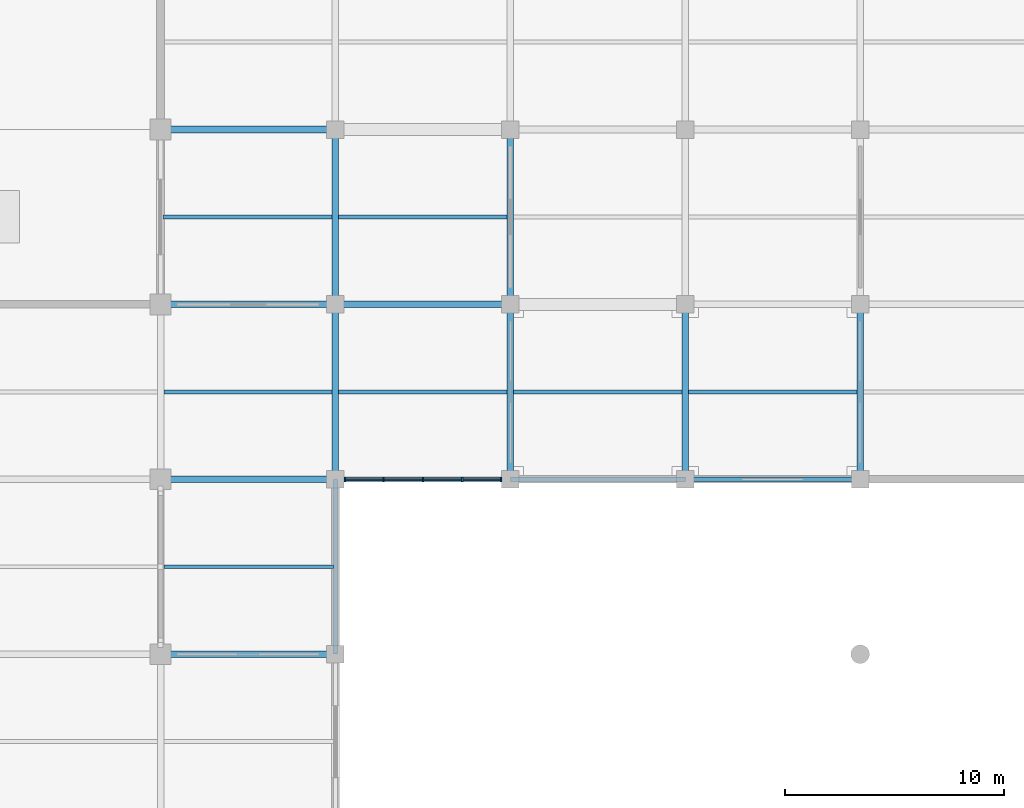
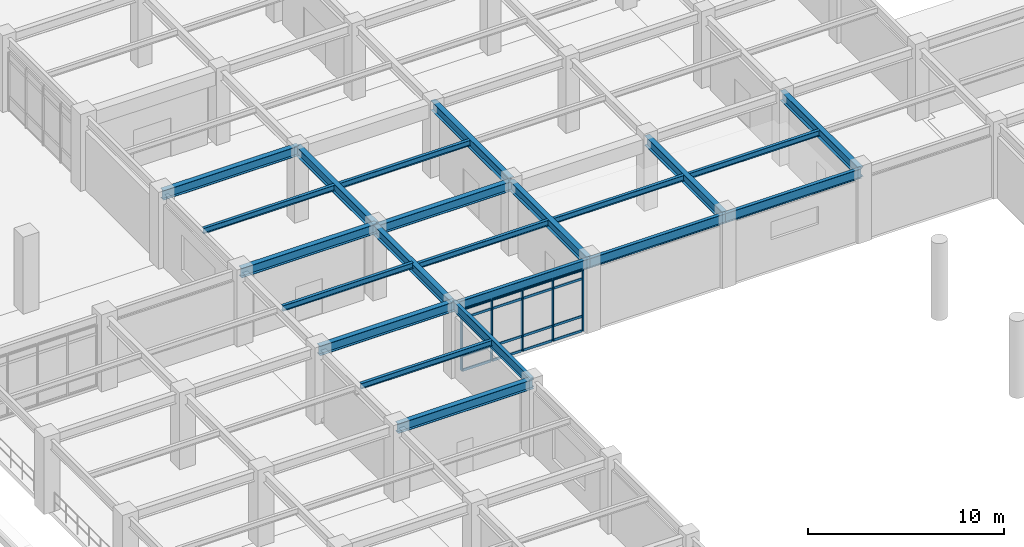
# One storey, part 46 of 109: 22 beams, 21 members, 1 element without a shape of its own.
"""IFC4 building model written with IfcOpenShell, lengths in metres."""

import ifcopenshell
import ifcopenshell.guid

model = None  # the IFC model being written
_history = None  # IfcOwnerHistory: only IFC2X3 demands one
_inside = {}  # id of a spatial element -> (the spatial element, [elements in it])
_under = {}  # id of a project, library or spatial element -> (it, [spatial elements below it])
_declared = {}  # id of a project -> (the project, [libraries it declares])
_typed = {}  # id of a type object -> (the type object, [elements of that type])
_made_of = {}  # id of a material, layer set ... -> (it, [elements and type objects made of it])


def new_model(schema):
    """Start an empty IFC model of exactly this schema.

    Asked for "IFC4X3", IfcOpenShell would pick the latest addendum, in which some entities
    have other attributes; the version numbers below select the first issue.
    IFC2X3 requires an IfcOwnerHistory on every rooted entity: one is made here for all.
    """
    global model, _history
    if schema == "IFC4X3":
        model = ifcopenshell.file(schema_version=(4, 3, 0, 0))
    else:
        model = ifcopenshell.file(schema=schema)
    _inside.clear()
    _under.clear()
    _declared.clear()
    _typed.clear()
    _made_of.clear()
    _history = None
    if model.schema == "IFC2X3":
        org = make("IfcOrganization", Name="unknown")
        user = make(
            "IfcPersonAndOrganization",
            ThePerson=make("IfcPerson", FamilyName="unknown"),
            TheOrganization=org,
        )
        app = make(
            "IfcApplication",
            ApplicationDeveloper=org,
            Version="unknown",
            ApplicationFullName="unknown",
            ApplicationIdentifier="unknown",
        )
        _history = make(
            "IfcOwnerHistory",
            OwningUser=user,
            OwningApplication=app,
            ChangeAction="ADDED",
            CreationDate=0,
        )
    return model


def make(cls, **values):
    """One entity of the class cls with the attributes given. An attribute that is None is left unset."""
    return model.create_entity(
        cls, **{name: value for name, value in values.items() if value is not None}
    )


def rooted(cls, **values):
    """An entity with a GlobalId (a new one), such as an element, a storey or a relation."""
    return make(cls, GlobalId=ifcopenshell.guid.new(), OwnerHistory=_history, **values)


def si_unit(unit_type, name, prefix=None):
    """IfcSIUnit, for example si_unit("LENGTHUNIT", "METRE", prefix="MILLI")."""
    return make("IfcSIUnit", UnitType=unit_type, Prefix=prefix, Name=name)


def assignment(units):
    """IfcUnitAssignment: the units of a project."""
    return None if units is None else make("IfcUnitAssignment", Units=units)


def point(xyz):
    """IfcCartesianPoint."""
    return None if xyz is None else make("IfcCartesianPoint", Coordinates=xyz)


def direction(xyz):
    """IfcDirection."""
    return None if xyz is None else make("IfcDirection", DirectionRatios=xyz)


def frame(location, z_axis=None, x_axis=None):
    """IfcAxis2Placement3D, a coordinate frame: its origin and axes. An axis left out is left unset."""
    return make(
        "IfcAxis2Placement3D",
        Location=point(location),
        Axis=direction(z_axis),
        RefDirection=direction(x_axis),
    )


def frame_2d(location, x_axis=None):
    """IfcAxis2Placement2D, a coordinate frame in the plane: its origin and x axis."""
    return make(
        "IfcAxis2Placement2D", Location=point(location), RefDirection=direction(x_axis)
    )


def origin():
    """The frame at (0, 0, 0) with its axes left unset."""
    return frame((0.0, 0.0, 0.0))


def origin_2d():
    """The frame at (0, 0) in the plane with its x axis left unset."""
    return frame_2d((0.0, 0.0))


def place(relative_to, where):
    """IfcLocalPlacement: puts the frame where relative to a parent placement (None: the world)."""
    return make(
        "IfcLocalPlacement", PlacementRelTo=relative_to, RelativePlacement=where
    )


def context(
    kind, dimensions, precision=None, world=None, true_north=None, identifier=None
):
    """IfcGeometricRepresentationContext, for example the 3D "Model" context."""
    return make(
        "IfcGeometricRepresentationContext",
        ContextIdentifier=identifier,
        ContextType=kind,
        CoordinateSpaceDimension=dimensions,
        Precision=precision,
        WorldCoordinateSystem=world,
        TrueNorth=true_north,
    )


def subcontext(parent, identifier, kind, view, scale=None):
    """IfcGeometricRepresentationSubContext, for example "Body" below "Model"."""
    return make(
        "IfcGeometricRepresentationSubContext",
        ContextIdentifier=identifier,
        ContextType=kind,
        ParentContext=parent,
        TargetScale=scale,
        TargetView=view,
    )


def project(units=None, contexts=None):
    """IfcProject with its units and contexts."""
    return rooted(
        "IfcProject",
        Name="project",
        RepresentationContexts=contexts,
        UnitsInContext=assignment(units),
    )


def spatial(cls, under=None, at=None, **own):
    """A site, building, storey or space (cls), placed at a placement, below another one or the project."""
    s = rooted(cls, ObjectPlacement=at, **own)
    if under is not None:
        _under.setdefault(under.id(), (under, []))[1].append(s)
    return s


def profile(cls, at=None, kind="AREA", **sizes):
    """A parametric profile (cls). Its sizes go by their IFC names, for example OverallWidth=200.0."""
    return make(cls, ProfileType=kind, Position=at, **sizes)


def rectangle(**sizes):
    """IfcRectangleProfileDef."""
    return profile("IfcRectangleProfileDef", **sizes)


def i_section(**sizes):
    """IfcIShapeProfileDef."""
    return profile("IfcIShapeProfileDef", **sizes)


def extrude(swept, where, along, depth):
    """IfcExtrudedAreaSolid: the profile swept, set in the frame where, extruded along a direction by depth."""
    return make(
        "IfcExtrudedAreaSolid",
        SweptArea=swept,
        Position=where,
        ExtrudedDirection=direction(along),
        Depth=depth,
    )


def shape(context_of_items, identifier, shape_type, items):
    """IfcShapeRepresentation: the items that make up one representation, for example the "Body"."""
    return make(
        "IfcShapeRepresentation",
        ContextOfItems=context_of_items,
        RepresentationIdentifier=identifier,
        RepresentationType=shape_type,
        Items=items,
    )


def material(Name=None, Category=None):
    """IfcMaterial."""
    return make("IfcMaterial", Name=Name, Category=Category)


def layer(
    of_material, thickness, ventilated=None, Name=None, Category=None, Priority=None
):
    """IfcMaterialLayer: one layer of a wall or slab, of a material (None: an air gap)."""
    return make(
        "IfcMaterialLayer",
        Material=of_material,
        LayerThickness=thickness,
        IsVentilated=ventilated,
        Name=Name,
        Category=Category,
        Priority=Priority,
    )


def layer_set(layers, Name=None):
    """IfcMaterialLayerSet."""
    return make("IfcMaterialLayerSet", MaterialLayers=layers, LayerSetName=Name)


def material_profile(
    of_material, cross_section, Name=None, Category=None, Priority=None
):
    """IfcMaterialProfile: a cross section and its material."""
    return make(
        "IfcMaterialProfile",
        Name=Name,
        Material=of_material,
        Profile=cross_section,
        Priority=Priority,
        Category=Category,
    )


def profile_set(profiles, Name=None, composite=None):
    """IfcMaterialProfileSet."""
    return make(
        "IfcMaterialProfileSet",
        Name=Name,
        MaterialProfiles=profiles,
        CompositeProfile=composite,
    )


def made_of(thing, what):
    """Note that an element or type object is made of a material, layer set ...; save() writes the relation."""
    if what is not None:
        _made_of.setdefault(what.id(), (what, []))[1].append(thing)
    return thing


def type_object(cls, material=None, **own):
    """A type object (cls), such as IfcWallType, which elements share."""
    return made_of(rooted(cls, **own), material)


def element(
    cls,
    number,
    at=None,
    inside=None,
    cuts=None,
    type_object=None,
    material=None,
    context=None,
    identifier="Body",
    shape_type=None,
    held_by="IfcProductDefinitionShape",
    body=None,
    shapes=None,
    **own,
):
    """One element of the class cls, such as IfcWall. Its Tag is "e" and its number.

    at: its placement. inside: the storey or other place that contains it. cuts: it is an
    opening in that element (IfcRelVoidsElement). A single representation is given by context,
    identifier, shape_type and body (its items); several are given by shapes. held_by: the class
    of the entity that holds the representations. save() writes the other relations.
    """
    e = rooted(cls, Tag="e%d" % number, ObjectPlacement=at, **own)
    if body is not None:
        shapes = [shape(context, identifier, shape_type, body)]
    if shapes is not None:
        e.Representation = make(held_by, Representations=shapes)
    if inside is not None:
        _inside.setdefault(inside.id(), (inside, []))[1].append(e)
    if cuts is not None:
        rooted(
            "IfcRelVoidsElement", RelatingBuildingElement=cuts, RelatedOpeningElement=e
        )
    if type_object is not None:
        _typed.setdefault(type_object.id(), (type_object, []))[1].append(e)
    return made_of(e, material)


def aggregate(whole, parts):
    """IfcRelAggregates: a whole, such as a stair, and the parts it consists of."""
    return rooted("IfcRelAggregates", RelatingObject=whole, RelatedObjects=parts)


def save(model, path):
    """Write the relations noted so far, then the file.

    IfcRelAggregates (storeys below a building ...), IfcRelContainedInSpatialStructure (elements
    in a storey), IfcRelDefinesByType, IfcRelAssociatesMaterial and IfcRelDeclares: one each for
    every whole, place, type object, material and project.
    """
    for whole, parts in _under.values():
        aggregate(whole, parts)
    for where, things in _inside.values():
        rooted(
            "IfcRelContainedInSpatialStructure",
            RelatedElements=things,
            RelatingStructure=where,
        )
    for kind, things in _typed.values():
        rooted("IfcRelDefinesByType", RelatedObjects=things, RelatingType=kind)
    for what, things in _made_of.values():
        rooted("IfcRelAssociatesMaterial", RelatedObjects=things, RelatingMaterial=what)
    for by, libraries in _declared.values():
        rooted("IfcRelDeclares", RelatingContext=by, RelatedDefinitions=libraries)
    model.write(path)


model = new_model("IFC4")

# Units and contexts
model_context = context("Model", 3, precision=1e-05, world=origin(), true_north=direction((0.0, 1.0)))
body_context = subcontext(model_context, "Body", "Model", "MODEL_VIEW")
ifc_project = project(units=[si_unit("LENGTHUNIT", "METRE"), si_unit("AREAUNIT", "SQUARE_METRE"), si_unit("VOLUMEUNIT", "CUBIC_METRE"), si_unit("PLANEANGLEUNIT", "RADIAN"), si_unit("MASSUNIT", "GRAM", prefix="KILO")], contexts=[model_context])

# Site, building, storey
site_placement = place(None, origin())
site = spatial("IfcSite", under=ifc_project, at=site_placement, CompositionType="ELEMENT")
building_placement = place(site_placement, origin())
building = spatial("IfcBuilding", under=site, at=building_placement, Name="Haebicheon Civic Stadium", CompositionType="ELEMENT")
storey_placement = place(building_placement, frame((0.0, 0.0, 9.60009765625)))
storey = spatial("IfcBuildingStorey", under=building, at=storey_placement, Name="L03", CompositionType="ELEMENT", Elevation=9.60009765625)

# Beams
ifc_material_1 = material(Name="Steel SM355 (S355)", Category="steel")
ifc_material_profile_1 = material_profile(ifc_material_1, i_section(OverallWidth=0.300048828125, OverallDepth=0.60009765625, WebThickness=0.011962890625, FlangeThickness=0.02001953125, at=origin_2d()), Name="H-600x300x12x20")
ifc_profile_set_1 = profile_set([ifc_material_profile_1], Name="Steel SM355 (S355)")
beam_type_1 = type_object("IfcBeamType", Name="BM-ST-H600A", PredefinedType="BEAM", material=ifc_profile_set_1)
for number, where, z_axis, x_axis, name in (
    (1, (168.0, 136.0, 4.099853515625), (0.0, 1.0, 0.0), (-1.0, 0.0, 0.0), "L03 girder 22/T-U"),
    (2, (168.0, 144.0, 4.239990234375), (0.0, 1.0, 0.0), (-1.0, 0.0, 0.0), "L03 girder 22/U-V"),
    (3, (176.0, 136.0, 4.099853515625), (0.0, 1.0, 0.0), (-1.0, 0.0, 0.0), "L03 girder 23/T-U"),
    (4, (176.0, 144.0, 4.239990234375), (0.0, 1.0, 0.0), (-1.0, 0.0, 0.0), "L03 girder 23/U-V"),
    (5, (184.0, 136.0, 4.099853515625), (0.0, 1.0, 0.0), (-1.0, 0.0, 0.0), "L03 girder 24/T-U"),
    (6, (192.0, 136.0, 4.099853515625), (0.0, 1.0, 0.0), (-1.0, 0.0, 0.0), "L03 girder 25/T-U"),
    (7, (160.0, 128.0, 4.239990234375), (1.0, 0.0, 0.0), (0.0, 1.0, 0.0), "L03 beam S/21-22"),
    (8, (160.0, 136.0, 4.239990234375), (1.0, 0.0, 0.0), (0.0, 1.0, 0.0), "L03 beam T/21-22"),
    (9, (160.0, 144.0, 4.239990234375), (1.0, 0.0, 0.0), (0.0, 1.0, 0.0), "L03 beam U/21-22"),
    (10, (160.0, 152.0, 4.239990234375), (1.0, 0.0, 0.0), (0.0, 1.0, 0.0), "L03 beam V/21-22"),
    (11, (168.0, 144.0, 4.099853515625), (1.0, 0.0, 0.0), (0.0, 1.0, 0.0), "L03 beam U/22-23"),
):
    element("IfcBeam", number, at=place(storey_placement, frame(where, z_axis=z_axis, x_axis=x_axis)), inside=storey, type_object=beam_type_1, material=ifc_profile_set_1, Name=name, PredefinedType="BEAM", context=body_context, shape_type="SweptSolid", body=[
        extrude(i_section(OverallWidth=0.300048828125, OverallDepth=0.60009765625, WebThickness=0.011962890625, FlangeThickness=0.02001953125, at=origin_2d()), origin(), (0.0, 0.0, 1.0), 8.0),
    ])

# Curtain wall, members
ifc_material_2 = material(Name="Anodised aluminium and laminated glass", Category="aluminium")
ifc_layer = layer(ifc_material_2, 0.179931640625, Name="Anodised aluminium and laminated glass")
ifc_layer_set = layer_set([ifc_layer], Name="Anodised aluminium and laminated glass")
curtain_wall_type = type_object("IfcCurtainWallType", Name="CW-7200x3790", PredefinedType="NOTDEFINED", material=ifc_layer_set)
curtain_wall_placement = place(storey_placement, origin())
curtain_wall = element("IfcCurtainWall", 12, at=curtain_wall_placement, inside=storey, type_object=curtain_wall_type, material=ifc_layer_set, Name="L03 unitised curtain wall 091", PredefinedType="NOTDEFINED")
ifc_material_3 = material(Name="Anodised aluminium 6063-T6", Category="aluminium")
ifc_material_profile_2 = material_profile(ifc_material_3, rectangle(XDim=0.070068359375, YDim=0.199951171875, at=origin_2d()), Name="ALU-MULL-70x200")
ifc_profile_set_2 = profile_set([ifc_material_profile_2], Name="Anodised aluminium 6063-T6")
member_type_1 = type_object("IfcMemberType", Name="CWM-200x70", PredefinedType="MULLION", material=ifc_profile_set_2)
member_1_placement = place(storey_placement, frame((168.43505859375, 136.0, 0.0), z_axis=(0.0, 0.0, 1.0), x_axis=(1.0, 0.0, 0.0)))
member_1 = element("IfcMember", 13, at=member_1_placement, type_object=member_type_1, material=ifc_profile_set_2, Name="CW-L03-091 vertical mullion 1", PredefinedType="MULLION", context=body_context, shape_type="SweptSolid", body=[
    extrude(rectangle(XDim=0.070068359375, YDim=0.199951171875, at=origin_2d()), origin(), (0.0, 0.0, 1.0), 3.789794921875),
])
member_2_placement = place(storey_placement, frame((170.199951171875, 136.0, 0.0), z_axis=(0.0, 0.0, 1.0), x_axis=(1.0, 0.0, 0.0)))
member_2 = element("IfcMember", 14, at=member_2_placement, type_object=member_type_1, material=ifc_profile_set_2, Name="CW-L03-091 vertical mullion 2", PredefinedType="MULLION", context=body_context, shape_type="SweptSolid", body=[
    extrude(rectangle(XDim=0.070068359375, YDim=0.199951171875, at=origin_2d()), origin(), (0.0, 0.0, 1.0), 3.789794921875),
])
member_3_placement = place(storey_placement, frame((172.0, 136.0, 0.0), z_axis=(0.0, 0.0, 1.0), x_axis=(1.0, 0.0, 0.0)))
member_3 = element("IfcMember", 15, at=member_3_placement, type_object=member_type_1, material=ifc_profile_set_2, Name="CW-L03-091 vertical mullion 3", PredefinedType="MULLION", context=body_context, shape_type="SweptSolid", body=[
    extrude(rectangle(XDim=0.070068359375, YDim=0.199951171875, at=origin_2d()), origin(), (0.0, 0.0, 1.0), 3.789794921875),
])
member_4_placement = place(storey_placement, frame((173.800048828125, 136.0, 0.0), z_axis=(0.0, 0.0, 1.0), x_axis=(1.0, 0.0, 0.0)))
member_4 = element("IfcMember", 16, at=member_4_placement, type_object=member_type_1, material=ifc_profile_set_2, Name="CW-L03-091 vertical mullion 4", PredefinedType="MULLION", context=body_context, shape_type="SweptSolid", body=[
    extrude(rectangle(XDim=0.070068359375, YDim=0.199951171875, at=origin_2d()), origin(), (0.0, 0.0, 1.0), 3.789794921875),
])
member_5_placement = place(storey_placement, frame((175.56494140625, 136.0, 0.0), z_axis=(0.0, 0.0, 1.0), x_axis=(1.0, 0.0, 0.0)))
member_5 = element("IfcMember", 17, at=member_5_placement, type_object=member_type_1, material=ifc_profile_set_2, Name="CW-L03-091 vertical mullion 5", PredefinedType="MULLION", context=body_context, shape_type="SweptSolid", body=[
    extrude(rectangle(XDim=0.070068359375, YDim=0.199951171875, at=origin_2d()), origin(), (0.0, 0.0, 1.0), 3.789794921875),
])
ifc_material_4 = material(Name="Anodised aluminium 6063-T6", Category="aluminium")
ifc_material_profile_3 = material_profile(ifc_material_4, rectangle(XDim=0.070068359375, YDim=0.14990234375, at=origin_2d()), Name="ALU-TRAN-70x150")
ifc_profile_set_3 = profile_set([ifc_material_profile_3], Name="Anodised aluminium 6063-T6")
member_type_2 = type_object("IfcMemberType", Name="CWT-150x70", PredefinedType="NOTDEFINED", material=ifc_profile_set_3)
member_6_placement = place(storey_placement, frame((168.469970703125, 136.0, 0.0), z_axis=(1.0, 0.0, 0.0), x_axis=(0.0, 1.0, 0.0)))
member_6 = element("IfcMember", 18, at=member_6_placement, type_object=member_type_2, material=ifc_profile_set_3, Name="CW-L03-091 horizontal transom 1.1", ObjectType="TRANSOM", PredefinedType="USERDEFINED", context=body_context, shape_type="SweptSolid", body=[
    extrude(rectangle(XDim=0.070068359375, YDim=0.14990234375, at=origin_2d()), origin(), (0.0, 0.0, 1.0), 1.695068359375),
])
member_7_placement = place(storey_placement, frame((168.469970703125, 136.0, 0.89990234375), z_axis=(1.0, 0.0, 0.0), x_axis=(0.0, 1.0, 0.0)))
member_7 = element("IfcMember", 19, at=member_7_placement, type_object=member_type_2, material=ifc_profile_set_3, Name="CW-L03-091 horizontal transom 1.2", ObjectType="TRANSOM", PredefinedType="USERDEFINED", context=body_context, shape_type="SweptSolid", body=[
    extrude(rectangle(XDim=0.070068359375, YDim=0.14990234375, at=origin_2d()), origin(), (0.0, 0.0, 1.0), 1.695068359375),
])
member_8_placement = place(storey_placement, frame((168.469970703125, 136.0, 3.239990234375), z_axis=(1.0, 0.0, 0.0), x_axis=(0.0, 1.0, 0.0)))
member_8 = element("IfcMember", 20, at=member_8_placement, type_object=member_type_2, material=ifc_profile_set_3, Name="CW-L03-091 horizontal transom 1.3", ObjectType="TRANSOM", PredefinedType="USERDEFINED", context=body_context, shape_type="SweptSolid", body=[
    extrude(rectangle(XDim=0.070068359375, YDim=0.14990234375, at=origin_2d()), origin(), (0.0, 0.0, 1.0), 1.695068359375),
])
member_9_placement = place(storey_placement, frame((168.469970703125, 136.0, 3.789794921875), z_axis=(1.0, 0.0, 0.0), x_axis=(0.0, 1.0, 0.0)))
member_9 = element("IfcMember", 21, at=member_9_placement, type_object=member_type_2, material=ifc_profile_set_3, Name="CW-L03-091 horizontal transom 1.4", ObjectType="TRANSOM", PredefinedType="USERDEFINED", context=body_context, shape_type="SweptSolid", body=[
    extrude(rectangle(XDim=0.070068359375, YDim=0.14990234375, at=origin_2d()), origin(), (0.0, 0.0, 1.0), 1.695068359375),
])
member_10_placement = place(storey_placement, frame((170.235107421875, 136.0, 0.0), z_axis=(1.0, 0.0, 0.0), x_axis=(0.0, 1.0, 0.0)))
member_10 = element("IfcMember", 22, at=member_10_placement, type_object=member_type_2, material=ifc_profile_set_3, Name="CW-L03-091 horizontal transom 2.1", ObjectType="TRANSOM", PredefinedType="USERDEFINED", context=body_context, shape_type="SweptSolid", body=[
    extrude(rectangle(XDim=0.070068359375, YDim=0.14990234375, at=origin_2d()), origin(), (0.0, 0.0, 1.0), 1.72998046875),
])
member_11_placement = place(storey_placement, frame((170.235107421875, 136.0, 0.89990234375), z_axis=(1.0, 0.0, 0.0), x_axis=(0.0, 1.0, 0.0)))
member_11 = element("IfcMember", 23, at=member_11_placement, type_object=member_type_2, material=ifc_profile_set_3, Name="CW-L03-091 horizontal transom 2.2", ObjectType="TRANSOM", PredefinedType="USERDEFINED", context=body_context, shape_type="SweptSolid", body=[
    extrude(rectangle(XDim=0.070068359375, YDim=0.14990234375, at=origin_2d()), origin(), (0.0, 0.0, 1.0), 1.72998046875),
])
member_12_placement = place(storey_placement, frame((170.235107421875, 136.0, 3.239990234375), z_axis=(1.0, 0.0, 0.0), x_axis=(0.0, 1.0, 0.0)))
member_12 = element("IfcMember", 24, at=member_12_placement, type_object=member_type_2, material=ifc_profile_set_3, Name="CW-L03-091 horizontal transom 2.3", ObjectType="TRANSOM", PredefinedType="USERDEFINED", context=body_context, shape_type="SweptSolid", body=[
    extrude(rectangle(XDim=0.070068359375, YDim=0.14990234375, at=origin_2d()), origin(), (0.0, 0.0, 1.0), 1.72998046875),
])
member_13_placement = place(storey_placement, frame((170.235107421875, 136.0, 3.789794921875), z_axis=(1.0, 0.0, 0.0), x_axis=(0.0, 1.0, 0.0)))
member_13 = element("IfcMember", 25, at=member_13_placement, type_object=member_type_2, material=ifc_profile_set_3, Name="CW-L03-091 horizontal transom 2.4", ObjectType="TRANSOM", PredefinedType="USERDEFINED", context=body_context, shape_type="SweptSolid", body=[
    extrude(rectangle(XDim=0.070068359375, YDim=0.14990234375, at=origin_2d()), origin(), (0.0, 0.0, 1.0), 1.72998046875),
])
member_14_placement = place(storey_placement, frame((172.034912109375, 136.0, 0.0), z_axis=(1.0, 0.0, 0.0), x_axis=(0.0, 1.0, 0.0)))
member_14 = element("IfcMember", 26, at=member_14_placement, type_object=member_type_2, material=ifc_profile_set_3, Name="CW-L03-091 horizontal transom 3.1", ObjectType="TRANSOM", PredefinedType="USERDEFINED", context=body_context, shape_type="SweptSolid", body=[
    extrude(rectangle(XDim=0.070068359375, YDim=0.14990234375, at=origin_2d()), origin(), (0.0, 0.0, 1.0), 1.72998046875),
])
member_15_placement = place(storey_placement, frame((172.034912109375, 136.0, 0.89990234375), z_axis=(1.0, 0.0, 0.0), x_axis=(0.0, 1.0, 0.0)))
member_15 = element("IfcMember", 27, at=member_15_placement, type_object=member_type_2, material=ifc_profile_set_3, Name="CW-L03-091 horizontal transom 3.2", ObjectType="TRANSOM", PredefinedType="USERDEFINED", context=body_context, shape_type="SweptSolid", body=[
    extrude(rectangle(XDim=0.070068359375, YDim=0.14990234375, at=origin_2d()), origin(), (0.0, 0.0, 1.0), 1.72998046875),
])
member_16_placement = place(storey_placement, frame((172.034912109375, 136.0, 3.239990234375), z_axis=(1.0, 0.0, 0.0), x_axis=(0.0, 1.0, 0.0)))
member_16 = element("IfcMember", 28, at=member_16_placement, type_object=member_type_2, material=ifc_profile_set_3, Name="CW-L03-091 horizontal transom 3.3", ObjectType="TRANSOM", PredefinedType="USERDEFINED", context=body_context, shape_type="SweptSolid", body=[
    extrude(rectangle(XDim=0.070068359375, YDim=0.14990234375, at=origin_2d()), origin(), (0.0, 0.0, 1.0), 1.72998046875),
])
member_17_placement = place(storey_placement, frame((172.034912109375, 136.0, 3.789794921875), z_axis=(1.0, 0.0, 0.0), x_axis=(0.0, 1.0, 0.0)))
member_17 = element("IfcMember", 29, at=member_17_placement, type_object=member_type_2, material=ifc_profile_set_3, Name="CW-L03-091 horizontal transom 3.4", ObjectType="TRANSOM", PredefinedType="USERDEFINED", context=body_context, shape_type="SweptSolid", body=[
    extrude(rectangle(XDim=0.070068359375, YDim=0.14990234375, at=origin_2d()), origin(), (0.0, 0.0, 1.0), 1.72998046875),
])
member_18_placement = place(storey_placement, frame((173.8349609375, 136.0, 0.0), z_axis=(1.0, 0.0, 0.0), x_axis=(0.0, 1.0, 0.0)))
member_18 = element("IfcMember", 30, at=member_18_placement, type_object=member_type_2, material=ifc_profile_set_3, Name="CW-L03-091 horizontal transom 4.1", ObjectType="TRANSOM", PredefinedType="USERDEFINED", context=body_context, shape_type="SweptSolid", body=[
    extrude(rectangle(XDim=0.070068359375, YDim=0.14990234375, at=origin_2d()), origin(), (0.0, 0.0, 1.0), 1.695068359375),
])
member_19_placement = place(storey_placement, frame((173.8349609375, 136.0, 0.89990234375), z_axis=(1.0, 0.0, 0.0), x_axis=(0.0, 1.0, 0.0)))
member_19 = element("IfcMember", 31, at=member_19_placement, type_object=member_type_2, material=ifc_profile_set_3, Name="CW-L03-091 horizontal transom 4.2", ObjectType="TRANSOM", PredefinedType="USERDEFINED", context=body_context, shape_type="SweptSolid", body=[
    extrude(rectangle(XDim=0.070068359375, YDim=0.14990234375, at=origin_2d()), origin(), (0.0, 0.0, 1.0), 1.695068359375),
])
member_20_placement = place(storey_placement, frame((173.8349609375, 136.0, 3.239990234375), z_axis=(1.0, 0.0, 0.0), x_axis=(0.0, 1.0, 0.0)))
member_20 = element("IfcMember", 32, at=member_20_placement, type_object=member_type_2, material=ifc_profile_set_3, Name="CW-L03-091 horizontal transom 4.3", ObjectType="TRANSOM", PredefinedType="USERDEFINED", context=body_context, shape_type="SweptSolid", body=[
    extrude(rectangle(XDim=0.070068359375, YDim=0.14990234375, at=origin_2d()), origin(), (0.0, 0.0, 1.0), 1.695068359375),
])
member_21_placement = place(storey_placement, frame((173.8349609375, 136.0, 3.789794921875), z_axis=(1.0, 0.0, 0.0), x_axis=(0.0, 1.0, 0.0)))
member_21 = element("IfcMember", 33, at=member_21_placement, type_object=member_type_2, material=ifc_profile_set_3, Name="CW-L03-091 horizontal transom 4.4", ObjectType="TRANSOM", PredefinedType="USERDEFINED", context=body_context, shape_type="SweptSolid", body=[
    extrude(rectangle(XDim=0.070068359375, YDim=0.14990234375, at=origin_2d()), origin(), (0.0, 0.0, 1.0), 1.695068359375),
])
aggregate(curtain_wall, [member_1, member_2, member_3, member_4, member_5, member_6, member_7, member_8, member_9, member_10, member_11, member_12, member_13, member_14, member_15, member_16, member_17, member_18, member_19, member_20, member_21])

# Beams
ifc_material_5 = material(Name="Steel SM355 (S355)", Category="steel")
ifc_material_profile_4 = material_profile(ifc_material_5, i_section(OverallWidth=0.175048828125, OverallDepth=0.35009765625, WebThickness=0.007080078125, FlangeThickness=0.010986328125, at=origin_2d()), Name="H-350x175x7x11")
ifc_profile_set_4 = profile_set([ifc_material_profile_4], Name="Steel SM355 (S355)")
beam_type_2 = type_object("IfcBeamType", Name="JST-ST-H350", PredefinedType="JOIST", material=ifc_profile_set_4)
beam_1_placement = place(storey_placement, frame((160.14990234375, 132.0, 4.364990234375), z_axis=(1.0, 0.0, 0.0), x_axis=(0.0, 1.0, 0.0)))
element("IfcBeam", 34, at=beam_1_placement, inside=storey, type_object=beam_type_2, material=ifc_profile_set_4, Name="L03 secondary joist 20-16", PredefinedType="JOIST", context=body_context, shape_type="SweptSolid", body=[
    extrude(i_section(OverallWidth=0.175048828125, OverallDepth=0.35009765625, WebThickness=0.007080078125, FlangeThickness=0.010986328125, at=origin_2d()), origin(), (0.0, 0.0, 1.0), 7.75),
])
beam_2_placement = place(storey_placement, frame((160.14990234375, 140.0, 4.364990234375), z_axis=(1.0, 0.0, 0.0), x_axis=(0.0, 1.0, 0.0)))
element("IfcBeam", 35, at=beam_2_placement, inside=storey, type_object=beam_type_2, material=ifc_profile_set_4, Name="L03 secondary joist 20-17", PredefinedType="JOIST", context=body_context, shape_type="SweptSolid", body=[
    extrude(i_section(OverallWidth=0.175048828125, OverallDepth=0.35009765625, WebThickness=0.007080078125, FlangeThickness=0.010986328125, at=origin_2d()), origin(), (0.0, 0.0, 1.0), 7.7001953125),
])
beam_3_placement = place(storey_placement, frame((160.10009765625, 148.0, 4.364990234375), z_axis=(1.0, 0.0, 0.0), x_axis=(0.0, 1.0, 0.0)))
element("IfcBeam", 36, at=beam_3_placement, inside=storey, type_object=beam_type_2, material=ifc_profile_set_4, Name="L03 secondary joist 20-18", PredefinedType="JOIST", context=body_context, shape_type="SweptSolid", body=[
    extrude(i_section(OverallWidth=0.175048828125, OverallDepth=0.35009765625, WebThickness=0.007080078125, FlangeThickness=0.010986328125, at=origin_2d()), origin(), (0.0, 0.0, 1.0), 7.75),
])
for number, where, z_axis, x_axis, name in (
    (37, (168.14990234375, 140.0, 4.224853515625), (1.0, 0.0, 0.0), (0.0, 1.0, 0.0), "L03 secondary joist 21-17"),
    (38, (168.14990234375, 148.0, 4.364990234375), (1.0, 0.0, 0.0), (0.0, 1.0, 0.0), "L03 secondary joist 21-18"),
    (39, (176.14990234375, 140.0, 4.224853515625), (1.0, 0.0, 0.0), (0.0, 1.0, 0.0), "L03 secondary joist 22-17"),
    (40, (184.14990234375, 140.0, 4.224853515625), (1.0, 0.0, 0.0), (0.0, 1.0, 0.0), "L03 secondary joist 23-17"),
):
    element("IfcBeam", number, at=place(storey_placement, frame(where, z_axis=z_axis, x_axis=x_axis)), inside=storey, type_object=beam_type_2, material=ifc_profile_set_4, Name=name, PredefinedType="JOIST", context=body_context, shape_type="SweptSolid", body=[
        extrude(i_section(OverallWidth=0.175048828125, OverallDepth=0.35009765625, WebThickness=0.007080078125, FlangeThickness=0.010986328125, at=origin_2d()), origin(), (0.0, 0.0, 1.0), 7.7001953125),
    ])
ifc_material_6 = material(Name="Steel SM355 (S355)", Category="steel")
ifc_material_profile_5 = material_profile(ifc_material_6, i_section(OverallWidth=0.199951171875, OverallDepth=0.60009765625, WebThickness=0.010986328125, FlangeThickness=0.01708984375, at=origin_2d()), Name="H-600x200x11x17")
ifc_profile_set_5 = profile_set([ifc_material_profile_5], Name="Steel SM355 (S355)")
beam_type_3 = type_object("IfcBeamType", Name="SPD-ST-H600B", PredefinedType="SPANDREL", material=ifc_profile_set_5)
for number, where, z_axis, x_axis, name in (
    (41, (168.0, 128.0, 4.239990234375), (0.0, 1.0, 0.0), (-1.0, 0.0, 0.0), "L03 girder 22/S-T"),
    (42, (168.0, 136.0, 4.099853515625), (1.0, 0.0, 0.0), (0.0, 1.0, 0.0), "L03 beam T/22-23"),
    (43, (176.0, 136.0, 4.099853515625), (1.0, 0.0, 0.0), (0.0, 1.0, 0.0), "L03 beam T/23-24"),
    (44, (184.0, 136.0, 4.099853515625), (1.0, 0.0, 0.0), (0.0, 1.0, 0.0), "L03 beam T/24-25"),
):
    element("IfcBeam", number, at=place(storey_placement, frame(where, z_axis=z_axis, x_axis=x_axis)), inside=storey, type_object=beam_type_3, material=ifc_profile_set_5, Name=name, PredefinedType="SPANDREL", context=body_context, shape_type="SweptSolid", body=[
        extrude(i_section(OverallWidth=0.199951171875, OverallDepth=0.60009765625, WebThickness=0.010986328125, FlangeThickness=0.01708984375, at=origin_2d()), origin(), (0.0, 0.0, 1.0), 8.0),
    ])

save(model, "model.ifc")
